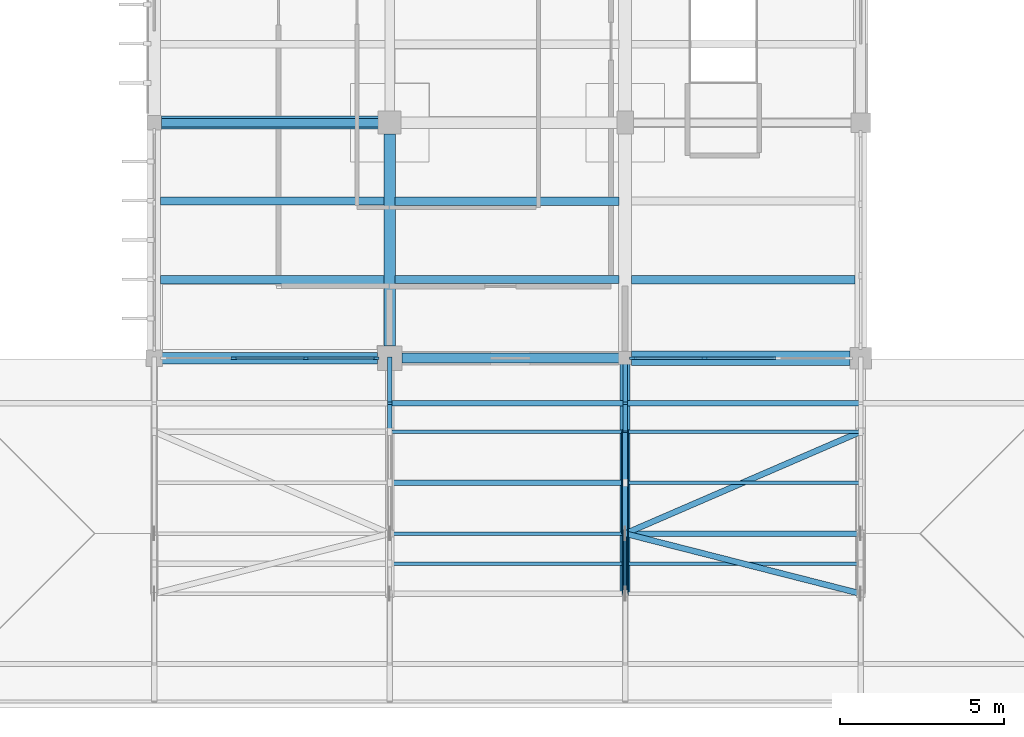
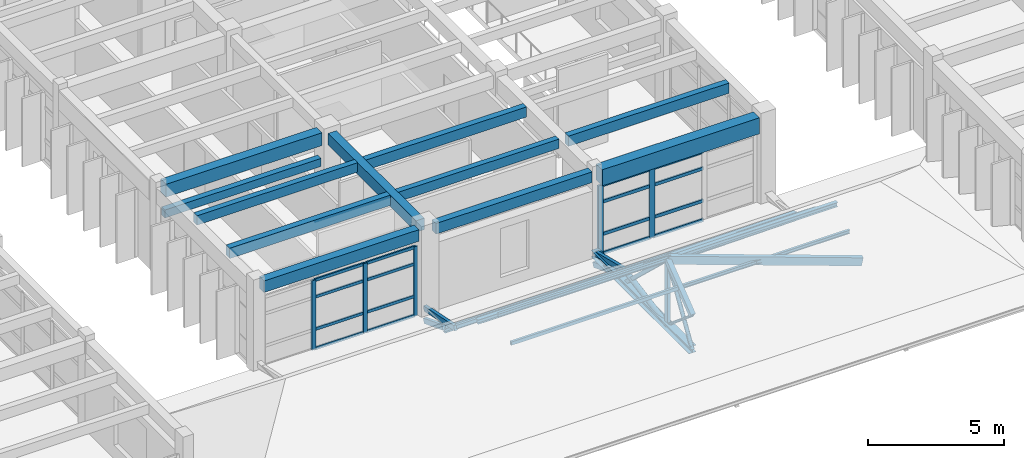
# One storey, part 25 of 100: 44 members, 12 beams, 2 elements without a shape of their own.
"""IFC4 building model written with IfcOpenShell, lengths in metres."""

from ifc_helpers import new_model, si_unit, direction, frame, origin, origin_2d, place, context, subcontext, project, spatial, rectangle, hollow_rectangle, hollow_circle, i_section, extrude, material, material_profile, profile_set, type_object, element, aggregate, save


model = new_model("IFC4")

# Units and contexts
model_context = context("Model", 3, precision=1e-05, world=origin(), true_north=direction((0.0, 1.0)))
body_context = subcontext(model_context, "Body", "Model", "MODEL_VIEW")
ifc_project = project(units=[si_unit("LENGTHUNIT", "METRE"), si_unit("AREAUNIT", "SQUARE_METRE"), si_unit("VOLUMEUNIT", "CUBIC_METRE"), si_unit("PLANEANGLEUNIT", "RADIAN"), si_unit("MASSUNIT", "GRAM", prefix="KILO")], contexts=[model_context])

# Site, building, storey
site_placement = place(None, origin())
site = spatial("IfcSite", under=ifc_project, at=site_placement, CompositionType="ELEMENT")
building_placement = place(site_placement, origin())
building = spatial("IfcBuilding", under=site, at=building_placement, Name="Steenspoor Specialist Clinic", CompositionType="ELEMENT")
storey_placement = place(building_placement, frame((0.0, 0.0, 9.0)))
storey = spatial("IfcBuildingStorey", under=building, at=storey_placement, Name="L02", CompositionType="ELEMENT", Elevation=9.0)

# Beams
ifc_material_1 = material(Name="Concrete C35/45", Category="concrete")
ifc_material_profile_1 = material_profile(ifc_material_1, rectangle(XDim=0.300048828125, YDim=0.47998046875, at=origin_2d()), Name="RC-BM-300X480")
ifc_profile_set_1 = profile_set([ifc_material_profile_1], Name="Concrete C35/45")
beam_type_1 = type_object("IfcBeamType", Name="BM-RC-300X480", PredefinedType="BEAM", material=ifc_profile_set_1)
beam_1_placement = place(storey_placement, frame((81.570068359375, 72.35009765625, 3.7099609375), z_axis=(1.0, 0.0, 0.0), x_axis=(0.0, 1.0, 0.0)))
element("IfcBeam", 1, at=beam_1_placement, inside=storey, type_object=beam_type_1, Name="BM-V4-L02-X0645", PredefinedType="BEAM", context=body_context, shape_type="SweptSolid", body=[
    extrude(rectangle(XDim=0.300048828125, YDim=0.47998046875, at=origin_2d()), origin(), (0.0, 0.0, 1.0), 6.635009765625),
])
ifc_material_profile_2 = material_profile(ifc_material_1, rectangle(XDim=0.35009765625, YDim=0.52001953125, at=origin_2d()), Name="RC-BM-350X520")
ifc_profile_set_2 = profile_set([ifc_material_profile_2], Name="Concrete C35/45")
beam_type_2 = type_object("IfcBeamType", Name="BM-RC-350X520", PredefinedType="BEAM", material=ifc_profile_set_2)
beam_2_placement = place(storey_placement, frame((74.2451171875, 72.35009765625, 3.68994140625), z_axis=(1.0, 0.0, 0.0), x_axis=(0.0, 1.0, 0.0)))
element("IfcBeam", 2, at=beam_2_placement, inside=storey, type_object=beam_type_2, Name="BM-V4-L02-X0644", PredefinedType="BEAM", context=body_context, shape_type="SweptSolid", body=[
    extrude(rectangle(XDim=0.35009765625, YDim=0.52001953125, at=origin_2d()), origin(), (0.0, 0.0, 1.0), 6.5849609375),
])
beam_3_placement = place(storey_placement, frame((81.199951171875, 72.719970703125, 3.68994140625), z_axis=(0.0, 1.0, 0.0), x_axis=(-1.0, 0.0, 0.0)))
element("IfcBeam", 3, at=beam_3_placement, inside=storey, type_object=beam_type_2, Name="BM-V4-L02-Y0706", PredefinedType="BEAM", context=body_context, shape_type="SweptSolid", body=[
    extrude(rectangle(XDim=0.35009765625, YDim=0.52001953125, at=origin_2d()), origin(), (0.0, 0.0, 1.0), 6.485107421875),
])
ifc_material_profile_3 = material_profile(ifc_material_1, rectangle(XDim=0.39990234375, YDim=0.580078125, at=origin_2d()), Name="RC-BM-400X580")
ifc_profile_set_3 = profile_set([ifc_material_profile_3], Name="Concrete C35/45")
beam_type_3 = type_object("IfcBeamType", Name="BM-RC-400X580", PredefinedType="BEAM", material=ifc_profile_set_3)
beam_4_placement = place(storey_placement, frame((74.219970703125, 79.550048828125, 3.659912109375), z_axis=(1.0, 0.0, 0.0), x_axis=(0.0, 1.0, 0.0)))
element("IfcBeam", 4, at=beam_4_placement, inside=storey, type_object=beam_type_3, Name="BM-V4-L02-X0651", PredefinedType="BEAM", context=body_context, shape_type="SweptSolid", body=[
    extrude(rectangle(XDim=0.39990234375, YDim=0.580078125, at=origin_2d()), origin(), (0.0, 0.0, 1.0), 6.635009765625),
])
ifc_material_profile_4 = material_profile(ifc_material_1, rectangle(XDim=0.449951171875, YDim=0.719970703125, at=origin_2d()), Name="RC-BM-450X720")
ifc_profile_set_4 = profile_set([ifc_material_profile_4], Name="Concrete C35/45")
beam_type_4 = type_object("IfcBeamType", Name="BM-RC-450X720", PredefinedType="BEAM", material=ifc_profile_set_4)
beam_5_placement = place(storey_placement, frame((88.594970703125, 72.35009765625, 3.590087890625), z_axis=(1.0, 0.0, 0.0), x_axis=(0.0, 1.0, 0.0)))
element("IfcBeam", 5, at=beam_5_placement, inside=storey, type_object=beam_type_4, Name="BM-V4-L02-X0646", PredefinedType="BEAM", context=body_context, shape_type="SweptSolid", body=[
    extrude(rectangle(XDim=0.449951171875, YDim=0.719970703125, at=origin_2d()), origin(), (0.0, 0.0, 1.0), 6.68505859375),
])
ifc_material_2 = material(Name="Steel A992 Grade 50", Category="steel")
ifc_material_profile_5 = material_profile(ifc_material_2, i_section(OverallWidth=0.304931640625, OverallDepth=0.30810546875, WebThickness=0.010009765625, FlangeThickness=0.015380859375, at=origin_2d()), Name="W310X97")
ifc_profile_set_5 = profile_set([ifc_material_profile_5], Name="Steel A992 Grade 50")
beam_type_5 = type_object("IfcBeamType", Name="BM-ST-W310X97", PredefinedType="BEAM", material=ifc_profile_set_5)
beam_6_placement = place(storey_placement, frame((88.39990234375, 65.14990234375, 0.174072265625), z_axis=(0.0, 1.0, 0.0), x_axis=(-1.0, 0.0, 0.0)))
element("IfcBeam", 6, at=beam_6_placement, inside=storey, type_object=beam_type_5, Name="ROOF TRUSS Bottom Tie Chord V4T1 4", PredefinedType="BEAM", context=body_context, shape_type="SweptSolid", body=[
    extrude(i_section(OverallWidth=0.304931640625, OverallDepth=0.30810546875, WebThickness=0.010009765625, FlangeThickness=0.015380859375, at=origin_2d()), origin(), (0.0, 0.0, 1.0), 7.2001953125),
])

# Curtain wall, members
ifc_material_3 = material(Name="Thermally broken aluminium and low-emissivity glass", Category="aluminium")
curtain_wall_type_1 = type_object("IfcCurtainWallType", Name="CW-HALL-660X820", PredefinedType="USERDEFINED", material=ifc_material_3)
curtain_wall_1_placement = place(storey_placement, origin())
curtain_wall_1 = element("IfcCurtainWall", 7, at=curtain_wall_1_placement, inside=storey, type_object=curtain_wall_type_1, Name="Unitised Curtain Wall CW-V4-L02-097", ObjectType="UNITISED GLAZING", PredefinedType="USERDEFINED")
ifc_material_4 = material(Name="Thermally broken aluminium 6063-T6", Category="aluminium")
ifc_material_profile_6 = material_profile(ifc_material_4, rectangle(XDim=0.080078125, YDim=0.179931640625, at=origin_2d()), Name="CWM-80X180")
ifc_profile_set_6 = profile_set([ifc_material_profile_6], Name="Thermally broken aluminium 6063-T6")
member_type_1 = type_object("IfcMemberType", Name="CW-MULL-80X180", PredefinedType="MULLION", material=ifc_profile_set_6)
member_1_placement = place(storey_placement, frame((80.784912109375, 72.35009765625, 0.0), z_axis=(0.0, 0.0, 1.0), x_axis=(0.0, -1.0, 0.0)))
member_1 = element("IfcMember", 8, at=member_1_placement, type_object=member_type_1, Name="CW-01 mullion 1", PredefinedType="MULLION", context=body_context, shape_type="SweptSolid", body=[
    extrude(rectangle(XDim=0.080078125, YDim=0.179931640625, at=origin_2d()), origin(), (0.0, 0.0, 1.0), 3.1298828125),
])
member_2_placement = place(storey_placement, frame((78.63330078125, 72.35009765625, 0.0), z_axis=(0.0, 0.0, 1.0), x_axis=(0.0, -1.0, 0.0)))
member_2 = element("IfcMember", 9, at=member_2_placement, type_object=member_type_1, Name="CW-01 mullion 2", PredefinedType="MULLION", context=body_context, shape_type="SweptSolid", body=[
    extrude(rectangle(XDim=0.080078125, YDim=0.179931640625, at=origin_2d()), origin(), (0.0, 0.0, 1.0), 3.1298828125),
])
member_3_placement = place(storey_placement, frame((76.441650390625, 72.35009765625, 0.0), z_axis=(0.0, 0.0, 1.0), x_axis=(0.0, -1.0, 0.0)))
member_3 = element("IfcMember", 10, at=member_3_placement, type_object=member_type_1, Name="CW-01 mullion 3", PredefinedType="MULLION", context=body_context, shape_type="SweptSolid", body=[
    extrude(rectangle(XDim=0.080078125, YDim=0.179931640625, at=origin_2d()), origin(), (0.0, 0.0, 1.0), 3.1298828125),
])

curtain_wall_type_2 = type_object("IfcCurtainWallType", Name="CW-STR-220X415", PredefinedType="USERDEFINED", material=ifc_material_3)
curtain_wall_2_placement = place(storey_placement, origin())
curtain_wall_2 = element("IfcCurtainWall", 11, at=curtain_wall_2_placement, inside=storey, type_object=curtain_wall_type_2, Name="Unitised Curtain Wall CW-V4-L02-096", ObjectType="UNITISED GLAZING", PredefinedType="USERDEFINED")
ifc_material_profile_7 = material_profile(ifc_material_4, rectangle(XDim=0.080078125, YDim=0.219970703125, at=origin_2d()), Name="CWM-80X220")
ifc_profile_set_7 = profile_set([ifc_material_profile_7], Name="Thermally broken aluminium 6063-T6")
member_type_2 = type_object("IfcMemberType", Name="CW-MULL-80X220", PredefinedType="MULLION", material=ifc_profile_set_7)
member_4_placement = place(storey_placement, frame((90.824951171875, 72.35009765625, 0.0), z_axis=(0.0, 0.0, 1.0), x_axis=(0.0, -1.0, 0.0)))
member_4 = element("IfcMember", 12, at=member_4_placement, type_object=member_type_2, Name="CW-24 mullion 3", PredefinedType="MULLION", context=body_context, shape_type="SweptSolid", body=[
    extrude(rectangle(XDim=0.080078125, YDim=0.219970703125, at=origin_2d()), origin(), (0.0, 0.0, 1.0), 3.1298828125),
])
member_5_placement = place(storey_placement, frame((88.639892578125, 72.35009765625, 0.0), z_axis=(0.0, 0.0, 1.0), x_axis=(0.0, -1.0, 0.0)))
member_5 = element("IfcMember", 13, at=member_5_placement, type_object=member_type_2, Name="CW-24 mullion 4", PredefinedType="MULLION", context=body_context, shape_type="SweptSolid", body=[
    extrude(rectangle(XDim=0.080078125, YDim=0.219970703125, at=origin_2d()), origin(), (0.0, 0.0, 1.0), 3.1298828125),
])

# Member
ifc_material_profile_8 = material_profile(ifc_material_4, rectangle(XDim=0.06494140625, YDim=0.1298828125, at=origin_2d()), Name="CWT-65X130")
ifc_profile_set_8 = profile_set([ifc_material_profile_8], Name="Thermally broken aluminium 6063-T6")
member_type_3 = type_object("IfcMemberType", Name="CW-TRAN-65X130", PredefinedType="USERDEFINED", material=ifc_profile_set_8)
member_6_placement = place(storey_placement, frame((80.7451171875, 72.35009765625, 0.032470703125), z_axis=(-1.0, 0.0, 0.0), x_axis=(0.0, -1.0, 0.0)))
member_6 = element("IfcMember", 14, at=member_6_placement, type_object=member_type_3, Name="CW-01 transom 1.1", ObjectType="TRANSOM", PredefinedType="USERDEFINED", context=body_context, shape_type="SweptSolid", body=[
    extrude(rectangle(XDim=0.06494140625, YDim=0.1298828125, at=origin_2d()), origin(), (0.0, 0.0, 1.0), 2.07177734375),
])

member_7_placement = place(storey_placement, frame((80.7451171875, 72.35009765625, 0.89990234375), z_axis=(-1.0, 0.0, 0.0), x_axis=(0.0, -1.0, 0.0)))
member_7 = element("IfcMember", 15, at=member_7_placement, type_object=member_type_3, Name="CW-01 transom 1.2", ObjectType="TRANSOM", PredefinedType="USERDEFINED", context=body_context, shape_type="SweptSolid", body=[
    extrude(rectangle(XDim=0.06494140625, YDim=0.1298828125, at=origin_2d()), origin(), (0.0, 0.0, 1.0), 2.07177734375),
])

member_8_placement = place(storey_placement, frame((80.7451171875, 72.35009765625, 2.35009765625), z_axis=(-1.0, 0.0, 0.0), x_axis=(0.0, -1.0, 0.0)))
member_8 = element("IfcMember", 16, at=member_8_placement, type_object=member_type_3, Name="CW-01 transom 1.3", ObjectType="TRANSOM", PredefinedType="USERDEFINED", context=body_context, shape_type="SweptSolid", body=[
    extrude(rectangle(XDim=0.06494140625, YDim=0.1298828125, at=origin_2d()), origin(), (0.0, 0.0, 1.0), 2.07177734375),
])

member_9_placement = place(storey_placement, frame((80.7451171875, 72.35009765625, 3.097412109375), z_axis=(-1.0, 0.0, 0.0), x_axis=(0.0, -1.0, 0.0)))
member_9 = element("IfcMember", 17, at=member_9_placement, type_object=member_type_3, Name="CW-01 transom 1.4", ObjectType="TRANSOM", PredefinedType="USERDEFINED", context=body_context, shape_type="SweptSolid", body=[
    extrude(rectangle(XDim=0.06494140625, YDim=0.1298828125, at=origin_2d()), origin(), (0.0, 0.0, 1.0), 2.07177734375),
])

member_10_placement = place(storey_placement, frame((78.59326171875, 72.35009765625, 0.032470703125), z_axis=(-1.0, 0.0, 0.0), x_axis=(0.0, -1.0, 0.0)))
member_10 = element("IfcMember", 18, at=member_10_placement, type_object=member_type_3, Name="CW-01 transom 2.1", ObjectType="TRANSOM", PredefinedType="USERDEFINED", context=body_context, shape_type="SweptSolid", body=[
    extrude(rectangle(XDim=0.06494140625, YDim=0.1298828125, at=origin_2d()), origin(), (0.0, 0.0, 1.0), 2.111572265625),
])

member_11_placement = place(storey_placement, frame((78.59326171875, 72.35009765625, 0.89990234375), z_axis=(-1.0, 0.0, 0.0), x_axis=(0.0, -1.0, 0.0)))
member_11 = element("IfcMember", 19, at=member_11_placement, type_object=member_type_3, Name="CW-01 transom 2.2", ObjectType="TRANSOM", PredefinedType="USERDEFINED", context=body_context, shape_type="SweptSolid", body=[
    extrude(rectangle(XDim=0.06494140625, YDim=0.1298828125, at=origin_2d()), origin(), (0.0, 0.0, 1.0), 2.111572265625),
])

member_12_placement = place(storey_placement, frame((78.59326171875, 72.35009765625, 2.35009765625), z_axis=(-1.0, 0.0, 0.0), x_axis=(0.0, -1.0, 0.0)))
member_12 = element("IfcMember", 20, at=member_12_placement, type_object=member_type_3, Name="CW-01 transom 2.3", ObjectType="TRANSOM", PredefinedType="USERDEFINED", context=body_context, shape_type="SweptSolid", body=[
    extrude(rectangle(XDim=0.06494140625, YDim=0.1298828125, at=origin_2d()), origin(), (0.0, 0.0, 1.0), 2.111572265625),
])

member_13_placement = place(storey_placement, frame((78.59326171875, 72.35009765625, 3.097412109375), z_axis=(-1.0, 0.0, 0.0), x_axis=(0.0, -1.0, 0.0)))
member_13 = element("IfcMember", 21, at=member_13_placement, type_object=member_type_3, Name="CW-01 transom 2.4", ObjectType="TRANSOM", PredefinedType="USERDEFINED", context=body_context, shape_type="SweptSolid", body=[
    extrude(rectangle(XDim=0.06494140625, YDim=0.1298828125, at=origin_2d()), origin(), (0.0, 0.0, 1.0), 2.111572265625),
])

aggregate(curtain_wall_1, [member_1, member_2, member_3, member_6, member_7, member_8, member_9, member_10, member_11, member_12, member_13])

ifc_material_profile_9 = material_profile(ifc_material_4, rectangle(XDim=0.070068359375, YDim=0.14501953125, at=origin_2d()), Name="CWT-70X145")
ifc_profile_set_9 = profile_set([ifc_material_profile_9], Name="Thermally broken aluminium 6063-T6")
member_type_4 = type_object("IfcMemberType", Name="CW-TRAN-70X145", PredefinedType="USERDEFINED", material=ifc_profile_set_9)
member_14_placement = place(storey_placement, frame((93.010009765625, 72.35009765625, 0.034912109375), z_axis=(-1.0, 0.0, 0.0), x_axis=(0.0, -1.0, 0.0)))
member_14 = element("IfcMember", 22, at=member_14_placement, type_object=member_type_4, Name="CW-24 transom 2.1", ObjectType="TRANSOM", PredefinedType="USERDEFINED", context=body_context, shape_type="SweptSolid", body=[
    extrude(rectangle(XDim=0.070068359375, YDim=0.14501953125, at=origin_2d()), origin(), (0.0, 0.0, 1.0), 2.14501953125),
])

member_15_placement = place(storey_placement, frame((93.010009765625, 72.35009765625, 0.89990234375), z_axis=(-1.0, 0.0, 0.0), x_axis=(0.0, -1.0, 0.0)))
member_15 = element("IfcMember", 23, at=member_15_placement, type_object=member_type_4, Name="CW-24 transom 2.2", ObjectType="TRANSOM", PredefinedType="USERDEFINED", context=body_context, shape_type="SweptSolid", body=[
    extrude(rectangle(XDim=0.070068359375, YDim=0.14501953125, at=origin_2d()), origin(), (0.0, 0.0, 1.0), 2.14501953125),
])

member_16_placement = place(storey_placement, frame((93.010009765625, 72.35009765625, 2.35009765625), z_axis=(-1.0, 0.0, 0.0), x_axis=(0.0, -1.0, 0.0)))
member_16 = element("IfcMember", 24, at=member_16_placement, type_object=member_type_4, Name="CW-24 transom 2.3", ObjectType="TRANSOM", PredefinedType="USERDEFINED", context=body_context, shape_type="SweptSolid", body=[
    extrude(rectangle(XDim=0.070068359375, YDim=0.14501953125, at=origin_2d()), origin(), (0.0, 0.0, 1.0), 2.14501953125),
])

member_17_placement = place(storey_placement, frame((93.010009765625, 72.35009765625, 3.094970703125), z_axis=(-1.0, 0.0, 0.0), x_axis=(0.0, -1.0, 0.0)))
member_17 = element("IfcMember", 25, at=member_17_placement, type_object=member_type_4, Name="CW-24 transom 2.4", ObjectType="TRANSOM", PredefinedType="USERDEFINED", context=body_context, shape_type="SweptSolid", body=[
    extrude(rectangle(XDim=0.070068359375, YDim=0.14501953125, at=origin_2d()), origin(), (0.0, 0.0, 1.0), 2.14501953125),
])

member_18_placement = place(storey_placement, frame((90.784912109375, 72.35009765625, 0.034912109375), z_axis=(-1.0, 0.0, 0.0), x_axis=(0.0, -1.0, 0.0)))
member_18 = element("IfcMember", 26, at=member_18_placement, type_object=member_type_4, Name="CW-24 transom 3.1", ObjectType="TRANSOM", PredefinedType="USERDEFINED", context=body_context, shape_type="SweptSolid", body=[
    extrude(rectangle(XDim=0.070068359375, YDim=0.14501953125, at=origin_2d()), origin(), (0.0, 0.0, 1.0), 2.10498046875),
])

member_19_placement = place(storey_placement, frame((90.784912109375, 72.35009765625, 0.89990234375), z_axis=(-1.0, 0.0, 0.0), x_axis=(0.0, -1.0, 0.0)))
member_19 = element("IfcMember", 27, at=member_19_placement, type_object=member_type_4, Name="CW-24 transom 3.2", ObjectType="TRANSOM", PredefinedType="USERDEFINED", context=body_context, shape_type="SweptSolid", body=[
    extrude(rectangle(XDim=0.070068359375, YDim=0.14501953125, at=origin_2d()), origin(), (0.0, 0.0, 1.0), 2.10498046875),
])

member_20_placement = place(storey_placement, frame((90.784912109375, 72.35009765625, 2.35009765625), z_axis=(-1.0, 0.0, 0.0), x_axis=(0.0, -1.0, 0.0)))
member_20 = element("IfcMember", 28, at=member_20_placement, type_object=member_type_4, Name="CW-24 transom 3.3", ObjectType="TRANSOM", PredefinedType="USERDEFINED", context=body_context, shape_type="SweptSolid", body=[
    extrude(rectangle(XDim=0.070068359375, YDim=0.14501953125, at=origin_2d()), origin(), (0.0, 0.0, 1.0), 2.10498046875),
])

member_21_placement = place(storey_placement, frame((90.784912109375, 72.35009765625, 3.094970703125), z_axis=(-1.0, 0.0, 0.0), x_axis=(0.0, -1.0, 0.0)))
member_21 = element("IfcMember", 29, at=member_21_placement, type_object=member_type_4, Name="CW-24 transom 3.4", ObjectType="TRANSOM", PredefinedType="USERDEFINED", context=body_context, shape_type="SweptSolid", body=[
    extrude(rectangle(XDim=0.070068359375, YDim=0.14501953125, at=origin_2d()), origin(), (0.0, 0.0, 1.0), 2.10498046875),
])

aggregate(curtain_wall_2, [member_4, member_5, member_14, member_15, member_16, member_17, member_18, member_19, member_20, member_21])

# Beams
ifc_material_profile_10 = material_profile(ifc_material_1, rectangle(XDim=0.239990234375, YDim=0.419921875, at=origin_2d()), Name="RC-JT-240X420")
ifc_profile_set_10 = profile_set([ifc_material_profile_10], Name="Concrete C35/45")
beam_type_6 = type_object("IfcBeamType", Name="JT-RC-240X420", PredefinedType="JOIST", material=ifc_profile_set_10)
for number, where, z_axis, x_axis, name in (
    (30, (74.195068359375, 77.14990234375, 3.739990234375), (1.0, 0.0, 0.0), (0.0, 1.0, 0.0), "JT-V4-L02-0761"),
    (31, (81.3701171875, 74.75, 3.739990234375), (1.0, 0.0, 0.0), (0.0, 1.0, 0.0), "JT-V4-L02-0768"),
):
    element("IfcBeam", number, at=place(storey_placement, frame(where, z_axis=z_axis, x_axis=x_axis)), inside=storey, type_object=beam_type_6, Name=name, PredefinedType="JOIST", context=body_context, shape_type="SweptSolid", body=[
        extrude(rectangle(XDim=0.239990234375, YDim=0.419921875, at=origin_2d()), origin(), (0.0, 0.0, 1.0), 6.8349609375),
    ])
ifc_material_profile_11 = material_profile(ifc_material_1, rectangle(XDim=0.260009765625, YDim=0.4599609375, at=origin_2d()), Name="RC-JT-260X460")
ifc_profile_set_11 = profile_set([ifc_material_profile_11], Name="Concrete C35/45")
beam_type_7 = type_object("IfcBeamType", Name="JT-RC-260X460", PredefinedType="JOIST", material=ifc_profile_set_11)
for number, where, z_axis, x_axis, name in (
    (32, (74.195068359375, 74.75, 3.719970703125), (1.0, 0.0, 0.0), (0.0, 1.0, 0.0), "JT-V4-L02-0760"),
    (33, (81.3701171875, 77.14990234375, 3.719970703125), (1.0, 0.0, 0.0), (0.0, 1.0, 0.0), "JT-V4-L02-0769"),
    (34, (88.594970703125, 74.75, 3.719970703125), (1.0, 0.0, 0.0), (0.0, 1.0, 0.0), "JT-V4-L02-0776"),
):
    element("IfcBeam", number, at=place(storey_placement, frame(where, z_axis=z_axis, x_axis=x_axis)), inside=storey, type_object=beam_type_7, Name=name, PredefinedType="JOIST", context=body_context, shape_type="SweptSolid", body=[
        extrude(rectangle(XDim=0.260009765625, YDim=0.4599609375, at=origin_2d()), origin(), (0.0, 0.0, 1.0), 6.8349609375),
    ])
ifc_material_profile_12 = material_profile(ifc_material_1, rectangle(XDim=0.25, YDim=0.360107421875, at=origin_2d()), Name="RC-LN-250X360")
ifc_profile_set_12 = profile_set([ifc_material_profile_12], Name="Concrete C35/45")
beam_type_8 = type_object("IfcBeamType", Name="LN-RC-250X360", PredefinedType="LINTEL", material=ifc_profile_set_12)
beam_7_placement = place(storey_placement, frame((74.219970703125, 79.550048828125, 2.570068359375), z_axis=(1.0, 0.0, 0.0), x_axis=(0.0, 1.0, 0.0)))
element("IfcBeam", 35, at=beam_7_placement, inside=storey, type_object=beam_type_8, Name="LN-INT-B05", PredefinedType="LINTEL", context=body_context, shape_type="SweptSolid", body=[
    extrude(rectangle(XDim=0.25, YDim=0.360107421875, at=origin_2d()), origin(), (0.0, 0.0, 1.0), 6.635009765625),
])

# Members
ifc_material_5 = material(Name="Steel A500 Grade C", Category="steel")
ifc_material_profile_13 = material_profile(ifc_material_5, hollow_circle(Radius=0.084228515625, WallThickness=0.007080078125, at=origin_2d()), Name="CHS168X7.1")
ifc_profile_set_13 = profile_set([ifc_material_profile_13], Name="Steel A500 Grade C")
member_type_5 = type_object("IfcMemberType", Name="MEM-BRACE-CHS168", PredefinedType="BRACE", material=ifc_profile_set_13)
member_22_placement = place(storey_placement, frame((88.39990234375, 65.14990234375, 0.174072265625), z_axis=(0.0, 0.528077910042, 0.849195926112), x_axis=(-1.0, 0.0, 0.0)))
element("IfcMember", 36, at=member_22_placement, inside=storey, type_object=member_type_5, Name="ROOF TRUSS Web Brace V4T1 4.1", PredefinedType="BRACE", context=body_context, shape_type="SweptSolid", body=[
    extrude(hollow_circle(Radius=0.084228515625, WallThickness=0.007080078125, at=origin_2d()), origin(), (0.0, 0.0, 1.0), 3.475341796875),
])
ifc_material_profile_14 = material_profile(ifc_material_5, hollow_rectangle(XDim=0.15234375, YDim=0.15234375, WallThickness=0.0087890625, at=origin_2d()), Name="HSS152X152X9.5")
ifc_profile_set_14 = profile_set([ifc_material_profile_14], Name="Steel A500 Grade C")
member_type_6 = type_object("IfcMemberType", Name="MEM-BRACE-H152", PredefinedType="BRACE", material=ifc_profile_set_14)
member_23_placement = place(storey_placement, frame((88.39990234375, 66.985107421875, 3.125244140625), z_axis=(0.0, 0.725937732926, -0.687760429157), x_axis=(-1.0, 0.0, 0.0)))
element("IfcMember", 37, at=member_23_placement, inside=storey, type_object=member_type_6, Name="ROOF TRUSS Web Brace V4T1 4.2", PredefinedType="BRACE", context=body_context, shape_type="SweptSolid", body=[
    extrude(hollow_rectangle(XDim=0.15234375, YDim=0.15234375, WallThickness=0.0087890625, at=origin_2d()), origin(), (0.0, 0.0, 1.0), 4.291015625),
])
ifc_material_profile_15 = material_profile(ifc_material_5, hollow_rectangle(XDim=0.203125, YDim=0.203125, WallThickness=0.01171875, at=origin_2d()), Name="HSS203X203X12.7")
ifc_profile_set_15 = profile_set([ifc_material_profile_15], Name="Steel A500 Grade C")
member_type_7 = type_object("IfcMemberType", Name="MEM-CHORD-H203", PredefinedType="CHORD", material=ifc_profile_set_15)
member_24_placement = place(storey_placement, frame((88.39990234375, 65.14990234375, 1.714599609375), z_axis=(0.0, 0.792843510574, 0.609425276586), x_axis=(-1.0, 0.0, 0.0)))
element("IfcMember", 38, at=member_24_placement, inside=storey, type_object=member_type_7, Name="ROOF TRUSS Top Chord V4T1 4.1", PredefinedType="CHORD", context=body_context, shape_type="SweptSolid", body=[
    extrude(hollow_rectangle(XDim=0.203125, YDim=0.203125, WallThickness=0.01171875, at=origin_2d()), origin(), (0.0, 0.0, 1.0), 2.314697265625),
])
member_25_placement = place(storey_placement, frame((88.39990234375, 66.985107421875, 3.125244140625), z_axis=(0.0, 0.792822604803, -0.609452473384), x_axis=(-1.0, 0.0, 0.0)))
element("IfcMember", 39, at=member_25_placement, inside=storey, type_object=member_type_7, Name="ROOF TRUSS Top Chord V4T1 4.2", PredefinedType="CHORD", context=body_context, shape_type="SweptSolid", body=[
    extrude(hollow_rectangle(XDim=0.203125, YDim=0.203125, WallThickness=0.01171875, at=origin_2d()), origin(), (0.0, 0.0, 1.0), 3.928955078125),
])
ifc_material_profile_16 = material_profile(ifc_material_5, hollow_rectangle(XDim=0.1015625, YDim=0.15234375, WallThickness=0.005859375, at=origin_2d()), Name="HSS152X102X6.4")
ifc_profile_set_16 = profile_set([ifc_material_profile_16], Name="Steel A500 Grade C")
member_type_8 = type_object("IfcMemberType", Name="MEM-PURLIN-H152", PredefinedType="PURLIN", material=ifc_profile_set_16)
for number, where, z_axis, x_axis, name in (
    (40, (81.199951171875, 66.0673828125, 2.42431640625), (1.0, 0.0, 0.0), (0.0, 1.0, 0.0), "ROOF TRUSS Purlin 220"),
    (41, (81.199951171875, 70.10009765625, 0.735107421875), (1.0, 0.0, 0.0), (0.0, 1.0, 0.0), "ROOF TRUSS Purlin 223"),
):
    element("IfcMember", number, at=place(storey_placement, frame(where, z_axis=z_axis, x_axis=x_axis)), inside=storey, type_object=member_type_8, Name=name, PredefinedType="PURLIN", context=body_context, shape_type="SweptSolid", body=[
        extrude(hollow_rectangle(XDim=0.1015625, YDim=0.15234375, WallThickness=0.005859375, at=origin_2d()), origin(), (0.0, 0.0, 1.0), 7.199951171875),
    ])
member_26_placement = place(storey_placement, frame((88.39990234375, 68.54248046875, 1.932373046875), z_axis=(1.0, 0.0, 0.0), x_axis=(0.0, 1.0, 0.0)))
element("IfcMember", 42, at=member_26_placement, inside=storey, type_object=member_type_8, Name="ROOF TRUSS Purlin 227", PredefinedType="PURLIN", context=body_context, shape_type="SweptSolid", body=[
    extrude(hollow_rectangle(XDim=0.1015625, YDim=0.15234375, WallThickness=0.005859375, at=origin_2d()), origin(), (0.0, 0.0, 1.0), 7.2001953125),
])
ifc_material_profile_17 = material_profile(ifc_material_2, i_section(OverallWidth=0.10205078125, OverallDepth=0.159912109375, WebThickness=0.006591796875, FlangeThickness=0.01025390625, at=origin_2d()), Name="W150X24")
ifc_profile_set_17 = profile_set([ifc_material_profile_17], Name="Steel A992 Grade 50")
member_type_9 = type_object("IfcMemberType", Name="MEM-PURLIN-W150", PredefinedType="PURLIN", material=ifc_profile_set_17)
member_27_placement = place(storey_placement, frame((81.199951171875, 66.985107421875, 3.125732421875), z_axis=(1.0, 0.0, 0.0), x_axis=(0.0, 1.0, 0.0)))
element("IfcMember", 43, at=member_27_placement, inside=storey, type_object=member_type_9, Name="ROOF TRUSS Purlin 221", PredefinedType="PURLIN", context=body_context, shape_type="SweptSolid", body=[
    extrude(i_section(OverallWidth=0.10205078125, OverallDepth=0.159912109375, WebThickness=0.006591796875, FlangeThickness=0.01025390625, at=origin_2d()), origin(), (0.0, 0.0, 1.0), 7.199951171875),
])
for number, where, z_axis, x_axis, name in (
    (44, (88.39990234375, 66.0673828125, 2.42041015625), (1.0, 0.0, 0.0), (0.0, 1.0, 0.0), "ROOF TRUSS Purlin 225"),
    (45, (88.39990234375, 70.10009765625, 0.731201171875), (1.0, 0.0, 0.0), (0.0, 1.0, 0.0), "ROOF TRUSS Purlin 228"),
):
    element("IfcMember", number, at=place(storey_placement, frame(where, z_axis=z_axis, x_axis=x_axis)), inside=storey, type_object=member_type_9, Name=name, PredefinedType="PURLIN", context=body_context, shape_type="SweptSolid", body=[
        extrude(i_section(OverallWidth=0.10205078125, OverallDepth=0.159912109375, WebThickness=0.006591796875, FlangeThickness=0.01025390625, at=origin_2d()), origin(), (0.0, 0.0, 1.0), 7.2001953125),
    ])
ifc_material_profile_18 = material_profile(ifc_material_2, i_section(OverallWidth=0.1650390625, OverallDepth=0.200927734375, WebThickness=0.006103515625, FlangeThickness=0.01025390625, at=origin_2d()), Name="W200X36")
ifc_profile_set_18 = profile_set([ifc_material_profile_18], Name="Steel A992 Grade 50")
member_type_10 = type_object("IfcMemberType", Name="MEM-PURLIN-W200", PredefinedType="PURLIN", material=ifc_profile_set_18)
member_28_placement = place(storey_placement, frame((81.199951171875, 70.969970703125, 0.0439453125), z_axis=(1.0, 0.0, 0.0), x_axis=(0.0, 1.0, 0.0)))
element("IfcMember", 46, at=member_28_placement, inside=storey, type_object=member_type_10, Name="ROOF TRUSS Knuckle Purlin 205", PredefinedType="PURLIN", context=body_context, shape_type="SweptSolid", body=[
    extrude(i_section(OverallWidth=0.1650390625, OverallDepth=0.200927734375, WebThickness=0.006103515625, FlangeThickness=0.01025390625, at=origin_2d()), origin(), (0.0, 0.0, 1.0), 7.199951171875),
])
member_29_placement = place(storey_placement, frame((88.39990234375, 70.969970703125, 0.0439453125), z_axis=(1.0, 0.0, 0.0), x_axis=(0.0, 1.0, 0.0)))
element("IfcMember", 47, at=member_29_placement, inside=storey, type_object=member_type_10, Name="ROOF TRUSS Knuckle Purlin 207", PredefinedType="PURLIN", context=body_context, shape_type="SweptSolid", body=[
    extrude(i_section(OverallWidth=0.1650390625, OverallDepth=0.200927734375, WebThickness=0.006103515625, FlangeThickness=0.01025390625, at=origin_2d()), origin(), (0.0, 0.0, 1.0), 7.2001953125),
])
member_30_placement = place(storey_placement, frame((81.199951171875, 68.54248046875, 1.907958984375), z_axis=(1.0, 0.0, 0.0), x_axis=(0.0, 1.0, 0.0)))
element("IfcMember", 48, at=member_30_placement, inside=storey, type_object=member_type_10, Name="ROOF TRUSS Purlin 222", PredefinedType="PURLIN", context=body_context, shape_type="SweptSolid", body=[
    extrude(i_section(OverallWidth=0.1650390625, OverallDepth=0.200927734375, WebThickness=0.006103515625, FlangeThickness=0.01025390625, at=origin_2d()), origin(), (0.0, 0.0, 1.0), 7.199951171875),
])
member_31_placement = place(storey_placement, frame((88.39990234375, 66.985107421875, 3.105224609375), z_axis=(1.0, 0.0, 0.0), x_axis=(0.0, 1.0, 0.0)))
element("IfcMember", 49, at=member_31_placement, inside=storey, type_object=member_type_10, Name="ROOF TRUSS Purlin 226", PredefinedType="PURLIN", context=body_context, shape_type="SweptSolid", body=[
    extrude(i_section(OverallWidth=0.1650390625, OverallDepth=0.200927734375, WebThickness=0.006103515625, FlangeThickness=0.01025390625, at=origin_2d()), origin(), (0.0, 0.0, 1.0), 7.2001953125),
])
ifc_material_6 = material(Name="Glulam GL28h", Category="wood")
ifc_material_profile_19 = material_profile(ifc_material_6, rectangle(XDim=0.139892578125, YDim=0.219970703125, at=origin_2d()), Name="GL28H-140X220")
ifc_profile_set_19 = profile_set([ifc_material_profile_19], Name="Glulam GL28h")
member_type_11 = type_object("IfcMemberType", Name="MEM-RAFTER-GL220", PredefinedType="RAFTER", material=ifc_profile_set_19)
for number, where, z_axis, x_axis, name in (
    (50, (81.199951171875, 72.35009765625, -0.356201171875), (0.0, -0.932915349138, 0.360095753019), (1.0, 0.0, 0.0), "ROOF TRUSS Knuckle Rafter V4T1 121"),
    (51, (88.39990234375, 72.35009765625, -0.356201171875), (0.0, -0.932915349138, 0.360095753019), (1.0, 0.0, 0.0), "ROOF TRUSS Knuckle Rafter V4T1 124"),
):
    element("IfcMember", number, at=place(storey_placement, frame(where, z_axis=z_axis, x_axis=x_axis)), inside=storey, type_object=member_type_11, Name=name, PredefinedType="RAFTER", context=body_context, shape_type="SweptSolid", body=[
        extrude(rectangle(XDim=0.139892578125, YDim=0.219970703125, at=origin_2d()), origin(), (0.0, 0.0, 1.0), 1.479248046875),
    ])
member_32_placement = place(storey_placement, frame((81.199951171875, 72.35009765625, 0.201416015625), z_axis=(0.0, -0.979234241666, 0.202732089095), x_axis=(1.0, 0.0, 0.0)))
element("IfcMember", 52, at=member_32_placement, inside=storey, type_object=member_type_11, Name="ROOF TRUSS Heel Strut V4T1 N 3", PredefinedType="RAFTER", context=body_context, shape_type="SweptSolid", body=[
    extrude(rectangle(XDim=0.139892578125, YDim=0.219970703125, at=origin_2d()), origin(), (0.0, 0.0, 1.0), 2.297607421875),
])
member_33_placement = place(storey_placement, frame((88.39990234375, 72.35009765625, 0.174072265625), z_axis=(0.0, -0.970734395356, 0.240155644684), x_axis=(1.0, 0.0, 0.0)))
element("IfcMember", 53, at=member_33_placement, inside=storey, type_object=member_type_11, Name="ROOF TRUSS Heel Strut V4T1 N 4", PredefinedType="RAFTER", context=body_context, shape_type="SweptSolid", body=[
    extrude(rectangle(XDim=0.139892578125, YDim=0.219970703125, at=origin_2d()), origin(), (0.0, 0.0, 1.0), 2.31787109375),
])
member_34_placement = place(storey_placement, frame((88.39990234375, 66.985107421875, 0.179931640625), z_axis=(0.0, 0.0, 1.0), x_axis=(1.0, 0.0, 0.0)))
element("IfcMember", 54, at=member_34_placement, inside=storey, type_object=member_type_11, Name="ROOF TRUSS Hip King Post V4T1 E", PredefinedType="RAFTER", context=body_context, shape_type="SweptSolid", body=[
    extrude(rectangle(XDim=0.139892578125, YDim=0.219970703125, at=origin_2d()), origin(), (0.0, 0.0, 1.0), 2.9853515625),
])
ifc_material_profile_20 = material_profile(ifc_material_6, rectangle(XDim=0.179931640625, YDim=0.360107421875, at=origin_2d()), Name="GL28H-180X360")
ifc_profile_set_20 = profile_set([ifc_material_profile_20], Name="Glulam GL28h")
member_type_12 = type_object("IfcMemberType", Name="MEM-RAFTER-GL360", PredefinedType="RAFTER", material=ifc_profile_set_20)
member_35_placement = place(storey_placement, frame((95.60009765625, 65.14990234375, 1.6513671875), z_axis=(-0.950500305673, 0.242266065297, 0.194567012931), x_axis=(-0.246986161533, -0.969019007043, 0.0)))
element("IfcMember", 55, at=member_35_placement, inside=storey, type_object=member_type_12, Name="ROOF TRUSS Hip Rafter V4T1 231", PredefinedType="RAFTER", context=body_context, shape_type="SweptSolid", body=[
    extrude(rectangle(XDim=0.179931640625, YDim=0.360107421875, at=origin_2d()), origin(), (0.0, 0.0, 1.0), 7.5751953125),
])
member_36_placement = place(storey_placement, frame((95.60009765625, 70.10009765625, 0.667236328125), z_axis=(-0.87581058401, -0.378898251776, 0.298984841985), x_axis=(0.397060655692, -0.917792370693, 0.0)))
element("IfcMember", 56, at=member_36_placement, inside=storey, type_object=member_type_12, Name="ROOF TRUSS Hip Rafter V4T1 232", PredefinedType="RAFTER", context=body_context, shape_type="SweptSolid", body=[
    extrude(rectangle(XDim=0.179931640625, YDim=0.360107421875, at=origin_2d()), origin(), (0.0, 0.0, 1.0), 8.22119140625),
])
ifc_material_profile_21 = material_profile(ifc_material_5, hollow_circle(Radius=0.05712890625, WallThickness=0.006103515625, at=origin_2d()), Name="CHS114X6.0")
ifc_profile_set_21 = profile_set([ifc_material_profile_21], Name="Steel A500 Grade C")
member_type_13 = type_object("IfcMemberType", Name="MEM-STRUT-CHS114", PredefinedType="STRUT", material=ifc_profile_set_21)
member_37_placement = place(storey_placement, frame((88.39990234375, 65.14990234375, 1.714599609375), z_axis=(0.0, 0.765919597482, -0.642936365586), x_axis=(-1.0, 0.0, 0.0)))
element("IfcMember", 57, at=member_37_placement, inside=storey, type_object=member_type_13, Name="ROOF TRUSS Web Strut V4T1 4.1", PredefinedType="STRUT", context=body_context, shape_type="SweptSolid", body=[
    extrude(hollow_circle(Radius=0.05712890625, WallThickness=0.006103515625, at=origin_2d()), origin(), (0.0, 0.0, 1.0), 2.39599609375),
])
ifc_material_profile_22 = material_profile(ifc_material_5, hollow_circle(Radius=0.109619140625, WallThickness=0.00830078125, at=origin_2d()), Name="CHS219X8.2")
ifc_profile_set_22 = profile_set([ifc_material_profile_22], Name="Steel A500 Grade C")
member_type_14 = type_object("IfcMemberType", Name="MEM-STRUT-CHS219", PredefinedType="STRUT", material=ifc_profile_set_22)
member_38_placement = place(storey_placement, frame((88.39990234375, 66.985107421875, 0.174072265625), z_axis=(0.0, 0.984406110055, 0.175910802643), x_axis=(-1.0, 0.0, 0.0)))
element("IfcMember", 58, at=member_38_placement, inside=storey, type_object=member_type_14, Name="ROOF TRUSS Web Strut V4T1 4.2", PredefinedType="STRUT", context=body_context, shape_type="SweptSolid", body=[
    extrude(hollow_circle(Radius=0.109619140625, WallThickness=0.00830078125, at=origin_2d()), origin(), (0.0, 0.0, 1.0), 3.164306640625),
])

save(model, "model.ifc")
